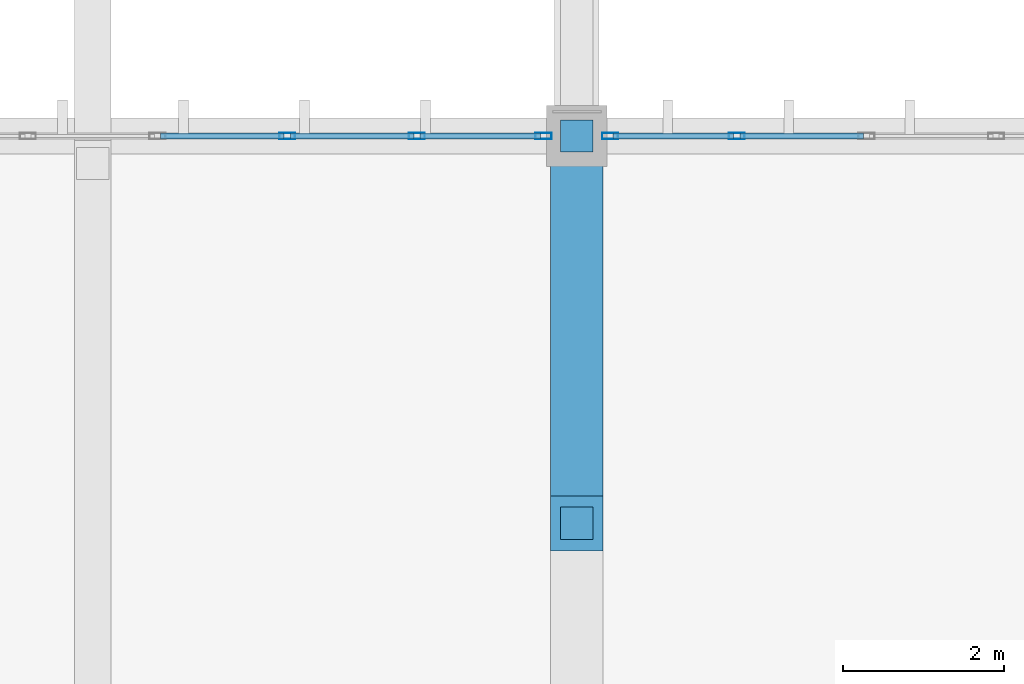
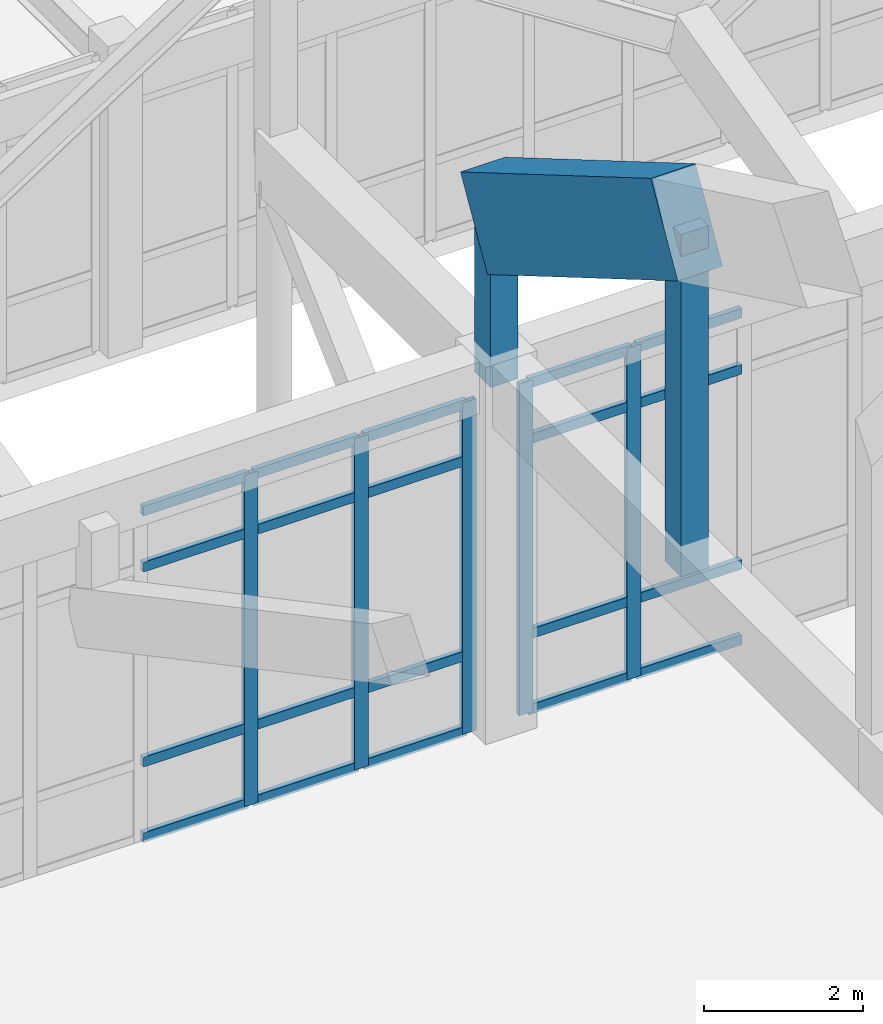
# One storey, part 85 of 236: 28 members, 2 elements without a shape of their own.
"""IFC4 building model written with IfcOpenShell, lengths in metres."""

from ifc_helpers import new_model, si_unit, direction, frame, origin, origin_2d, place, context, subcontext, project, spatial, rectangle, hollow_rectangle, extrude, material, layer, layer_set, material_profile, profile_set, type_object, element, aggregate, save


model = new_model("IFC4")

# Units and contexts
model_context = context("Model", 3, precision=1e-05, world=origin(), true_north=direction((0.0, 1.0)))
body_context = subcontext(model_context, "Body", "Model", "MODEL_VIEW")
ifc_project = project(units=[si_unit("LENGTHUNIT", "METRE"), si_unit("AREAUNIT", "SQUARE_METRE"), si_unit("VOLUMEUNIT", "CUBIC_METRE"), si_unit("PLANEANGLEUNIT", "RADIAN"), si_unit("MASSUNIT", "GRAM", prefix="KILO")], contexts=[model_context])

# Site, building, storey
site_placement = place(None, origin())
site = spatial("IfcSite", under=ifc_project, at=site_placement, CompositionType="ELEMENT")
building_placement = place(site_placement, origin())
building = spatial("IfcBuilding", under=site, at=building_placement, Name="Pandanus Reach Market Hall", CompositionType="ELEMENT")
storey_placement = place(building_placement, frame((0.0, 0.0, 5.39990234375)))
storey = spatial("IfcBuildingStorey", under=building, at=storey_placement, Name="L01", CompositionType="ELEMENT", Elevation=5.39990234375)

# Members
ifc_material_1 = material(Name="Concrete N50 (50 MPa)", Category="concrete")
ifc_material_profile_1 = material_profile(ifc_material_1, rectangle(XDim=0.64990234375, YDim=1.35009765625, at=origin_2d()), Name="RC650x1350", Category="LoadBearing")
ifc_profile_set_1 = profile_set([ifc_material_profile_1], Name="Concrete N50 (50 MPa)")
member_type_1 = type_object("IfcMemberType", Name="AR-RC650-E", PredefinedType="CHORD", material=ifc_profile_set_1)
member_1_placement = place(storey_placement, frame((108.0, 81.60009765625, 10.59130859375), z_axis=(0.0, 0.862886095496, -0.505398443013), x_axis=(-1.0, 0.0, 0.0)))
element("IfcMember", 1, at=member_1_placement, inside=storey, type_object=member_type_1, Name="Parabolic arch top chord A6.12", PredefinedType="CHORD", context=body_context, shape_type="SweptSolid", body=[
    extrude(rectangle(XDim=0.64990234375, YDim=1.35009765625, at=origin_2d()), origin(), (0.0, 0.0, 1.0), 5.5625),
])
ifc_material_profile_2 = material_profile(ifc_material_1, rectangle(XDim=0.39990234375, YDim=0.39990234375, at=origin_2d()), Name="RC400x400", Category="LoadBearing")
ifc_profile_set_2 = profile_set([ifc_material_profile_2], Name="Concrete N50 (50 MPa)")
member_type_2 = type_object("IfcMemberType", Name="AR-WEB400-E", PredefinedType="STRUT", material=ifc_profile_set_2)
member_2_placement = place(storey_placement, frame((108.0, 86.39990234375, 5.3251953125), z_axis=(0.0, 0.0, 1.0), x_axis=(1.0, 0.0, 0.0)))
element("IfcMember", 2, at=member_2_placement, inside=storey, type_object=member_type_2, Name="Arch springing concrete strut A6.N", PredefinedType="STRUT", context=body_context, shape_type="SweptSolid", body=[
    extrude(rectangle(XDim=0.39990234375, YDim=0.39990234375, at=origin_2d()), origin(), (0.0, 0.0, 1.0), 2.454833984375),
])
member_3_placement = place(storey_placement, frame((108.0, 81.60009765625, 5.3251953125), z_axis=(0.0, 0.0, 1.0), x_axis=(1.0, 0.0, 0.0)))
element("IfcMember", 3, at=member_3_placement, inside=storey, type_object=member_type_2, Name="Arch truss vertical web strut A6.11", PredefinedType="STRUT", context=body_context, shape_type="SweptSolid", body=[
    extrude(rectangle(XDim=0.39990234375, YDim=0.39990234375, at=origin_2d()), origin(), (0.0, 0.0, 1.0), 5.26611328125),
])

# Curtain wall, members
ifc_material_2 = material(Name="Bronze anodised aluminium and low-E glass", Category="aluminium")
ifc_layer = layer(ifc_material_2, 0.199951171875, Name="CW-02")
ifc_layer_set = layer_set([ifc_layer], Name="Bronze anodised aluminium and low-E glass")
curtain_wall_type = type_object("IfcCurtainWallType", Name="CW-02", PredefinedType="NOTDEFINED", material=ifc_layer_set)
curtain_wall_1_placement = place(storey_placement, origin())
curtain_wall_1 = element("IfcCurtainWall", 4, at=curtain_wall_1_placement, inside=storey, type_object=curtain_wall_type, Name="Glazed curtain wall CW-02 CW-0015", PredefinedType="NOTDEFINED")
ifc_material_3 = material(Name="Bronze anodised aluminium", Category="aluminium")
ifc_material_profile_3 = material_profile(ifc_material_3, hollow_rectangle(XDim=0.074951171875, YDim=0.199951171875, WallThickness=0.00439453125, at=origin_2d()), Name="ALU75x200", Category="LoadBearing")
ifc_profile_set_3 = profile_set([ifc_material_profile_3], Name="Bronze anodised aluminium")
member_type_3 = type_object("IfcMemberType", Name="CW-M2", PredefinedType="MULLION", material=ifc_profile_set_3)
member_4_placement = place(storey_placement, frame((104.41064453125, 86.39990234375, 0.0), z_axis=(0.0, 0.0, 1.0), x_axis=(0.0, 1.0, 0.0)))
member_4 = element("IfcMember", 5, at=member_4_placement, type_object=member_type_3, Name="CW-02 mullion 6", PredefinedType="MULLION", context=body_context, shape_type="SweptSolid", body=[
    extrude(hollow_rectangle(XDim=0.074951171875, YDim=0.199951171875, WallThickness=0.00439453125, at=origin_2d()), origin(), (0.0, 0.0, 1.0), 5.10009765625),
])
member_5_placement = place(storey_placement, frame((106.017822265625, 86.39990234375, 0.0), z_axis=(0.0, 0.0, 1.0), x_axis=(0.0, 1.0, 0.0)))
member_5 = element("IfcMember", 6, at=member_5_placement, type_object=member_type_3, Name="CW-02 mullion 7", PredefinedType="MULLION", context=body_context, shape_type="SweptSolid", body=[
    extrude(hollow_rectangle(XDim=0.074951171875, YDim=0.199951171875, WallThickness=0.00439453125, at=origin_2d()), origin(), (0.0, 0.0, 1.0), 5.10009765625),
])
member_6_placement = place(storey_placement, frame((107.58740234375, 86.39990234375, 0.0), z_axis=(0.0, 0.0, 1.0), x_axis=(0.0, 1.0, 0.0)))
member_6 = element("IfcMember", 7, at=member_6_placement, type_object=member_type_3, Name="CW-02 mullion 8", PredefinedType="MULLION", context=body_context, shape_type="SweptSolid", body=[
    extrude(hollow_rectangle(XDim=0.074951171875, YDim=0.199951171875, WallThickness=0.00439453125, at=origin_2d()), origin(), (0.0, 0.0, 1.0), 5.10009765625),
])

curtain_wall_2_placement = place(storey_placement, origin())
curtain_wall_2 = element("IfcCurtainWall", 8, at=curtain_wall_2_placement, inside=storey, type_object=curtain_wall_type, Name="Glazed curtain wall CW-02 CW-0016", PredefinedType="NOTDEFINED")
member_7_placement = place(storey_placement, frame((108.41259765625, 86.39990234375, 0.0), z_axis=(0.0, 0.0, 1.0), x_axis=(0.0, 1.0, 0.0)))
member_7 = element("IfcMember", 9, at=member_7_placement, type_object=member_type_3, Name="CW-02 mullion 1", PredefinedType="MULLION", context=body_context, shape_type="SweptSolid", body=[
    extrude(hollow_rectangle(XDim=0.074951171875, YDim=0.199951171875, WallThickness=0.00439453125, at=origin_2d()), origin(), (0.0, 0.0, 1.0), 5.10009765625),
])
member_8_placement = place(storey_placement, frame((109.982177734375, 86.39990234375, 0.0), z_axis=(0.0, 0.0, 1.0), x_axis=(0.0, 1.0, 0.0)))
member_8 = element("IfcMember", 10, at=member_8_placement, type_object=member_type_3, Name="CW-02 mullion 2", PredefinedType="MULLION", context=body_context, shape_type="SweptSolid", body=[
    extrude(hollow_rectangle(XDim=0.074951171875, YDim=0.199951171875, WallThickness=0.00439453125, at=origin_2d()), origin(), (0.0, 0.0, 1.0), 5.10009765625),
])

# Member
ifc_material_profile_4 = material_profile(ifc_material_3, hollow_rectangle(XDim=0.074951171875, YDim=0.14990234375, WallThickness=0.00439453125, at=origin_2d()), Name="ALU75x150", Category="LoadBearing")
ifc_profile_set_4 = profile_set([ifc_material_profile_4], Name="Bronze anodised aluminium")
member_type_4 = type_object("IfcMemberType", Name="CW-T2", PredefinedType="USERDEFINED", material=ifc_profile_set_4)
member_9_placement = place(storey_placement, frame((102.841064453125, 86.39990234375, 0.03759765625), z_axis=(1.0, 0.0, 0.0), x_axis=(0.0, 1.0, 0.0)))
member_9 = element("IfcMember", 11, at=member_9_placement, type_object=member_type_4, Name="CW-02 transom 5.1", ObjectType="TRANSOM", PredefinedType="USERDEFINED", context=body_context, shape_type="SweptSolid", body=[
    extrude(hollow_rectangle(XDim=0.074951171875, YDim=0.14990234375, WallThickness=0.00439453125, at=origin_2d()), origin(), (0.0, 0.0, 1.0), 1.5322265625),
])

member_10_placement = place(storey_placement, frame((102.841064453125, 86.39990234375, 1.2001953125), z_axis=(1.0, 0.0, 0.0), x_axis=(0.0, 1.0, 0.0)))
member_10 = element("IfcMember", 12, at=member_10_placement, type_object=member_type_4, Name="CW-02 transom 5.2", ObjectType="TRANSOM", PredefinedType="USERDEFINED", context=body_context, shape_type="SweptSolid", body=[
    extrude(hollow_rectangle(XDim=0.074951171875, YDim=0.14990234375, WallThickness=0.00439453125, at=origin_2d()), origin(), (0.0, 0.0, 1.0), 1.5322265625),
])

member_11_placement = place(storey_placement, frame((102.841064453125, 86.39990234375, 4.2001953125), z_axis=(1.0, 0.0, 0.0), x_axis=(0.0, 1.0, 0.0)))
member_11 = element("IfcMember", 13, at=member_11_placement, type_object=member_type_4, Name="CW-02 transom 5.3", ObjectType="TRANSOM", PredefinedType="USERDEFINED", context=body_context, shape_type="SweptSolid", body=[
    extrude(hollow_rectangle(XDim=0.074951171875, YDim=0.14990234375, WallThickness=0.00439453125, at=origin_2d()), origin(), (0.0, 0.0, 1.0), 1.5322265625),
])

member_12_placement = place(storey_placement, frame((102.841064453125, 86.39990234375, 5.0625), z_axis=(1.0, 0.0, 0.0), x_axis=(0.0, 1.0, 0.0)))
member_12 = element("IfcMember", 14, at=member_12_placement, type_object=member_type_4, Name="CW-02 transom 5.4", ObjectType="TRANSOM", PredefinedType="USERDEFINED", context=body_context, shape_type="SweptSolid", body=[
    extrude(hollow_rectangle(XDim=0.074951171875, YDim=0.14990234375, WallThickness=0.00439453125, at=origin_2d()), origin(), (0.0, 0.0, 1.0), 1.5322265625),
])

member_13_placement = place(storey_placement, frame((104.4482421875, 86.39990234375, 0.03759765625), z_axis=(1.0, 0.0, 0.0), x_axis=(0.0, 1.0, 0.0)))
member_13 = element("IfcMember", 15, at=member_13_placement, type_object=member_type_4, Name="CW-02 transom 6.1", ObjectType="TRANSOM", PredefinedType="USERDEFINED", context=body_context, shape_type="SweptSolid", body=[
    extrude(hollow_rectangle(XDim=0.074951171875, YDim=0.14990234375, WallThickness=0.00439453125, at=origin_2d()), origin(), (0.0, 0.0, 1.0), 1.5322265625),
])

member_14_placement = place(storey_placement, frame((104.4482421875, 86.39990234375, 1.2001953125), z_axis=(1.0, 0.0, 0.0), x_axis=(0.0, 1.0, 0.0)))
member_14 = element("IfcMember", 16, at=member_14_placement, type_object=member_type_4, Name="CW-02 transom 6.2", ObjectType="TRANSOM", PredefinedType="USERDEFINED", context=body_context, shape_type="SweptSolid", body=[
    extrude(hollow_rectangle(XDim=0.074951171875, YDim=0.14990234375, WallThickness=0.00439453125, at=origin_2d()), origin(), (0.0, 0.0, 1.0), 1.5322265625),
])

member_15_placement = place(storey_placement, frame((104.4482421875, 86.39990234375, 4.2001953125), z_axis=(1.0, 0.0, 0.0), x_axis=(0.0, 1.0, 0.0)))
member_15 = element("IfcMember", 17, at=member_15_placement, type_object=member_type_4, Name="CW-02 transom 6.3", ObjectType="TRANSOM", PredefinedType="USERDEFINED", context=body_context, shape_type="SweptSolid", body=[
    extrude(hollow_rectangle(XDim=0.074951171875, YDim=0.14990234375, WallThickness=0.00439453125, at=origin_2d()), origin(), (0.0, 0.0, 1.0), 1.5322265625),
])

member_16_placement = place(storey_placement, frame((104.4482421875, 86.39990234375, 5.0625), z_axis=(1.0, 0.0, 0.0), x_axis=(0.0, 1.0, 0.0)))
member_16 = element("IfcMember", 18, at=member_16_placement, type_object=member_type_4, Name="CW-02 transom 6.4", ObjectType="TRANSOM", PredefinedType="USERDEFINED", context=body_context, shape_type="SweptSolid", body=[
    extrude(hollow_rectangle(XDim=0.074951171875, YDim=0.14990234375, WallThickness=0.00439453125, at=origin_2d()), origin(), (0.0, 0.0, 1.0), 1.5322265625),
])

member_17_placement = place(storey_placement, frame((106.055419921875, 86.39990234375, 0.03759765625), z_axis=(1.0, 0.0, 0.0), x_axis=(0.0, 1.0, 0.0)))
member_17 = element("IfcMember", 19, at=member_17_placement, type_object=member_type_4, Name="CW-02 transom 7.1", ObjectType="TRANSOM", PredefinedType="USERDEFINED", context=body_context, shape_type="SweptSolid", body=[
    extrude(hollow_rectangle(XDim=0.074951171875, YDim=0.14990234375, WallThickness=0.00439453125, at=origin_2d()), origin(), (0.0, 0.0, 1.0), 1.49462890625),
])

member_18_placement = place(storey_placement, frame((106.055419921875, 86.39990234375, 1.2001953125), z_axis=(1.0, 0.0, 0.0), x_axis=(0.0, 1.0, 0.0)))
member_18 = element("IfcMember", 20, at=member_18_placement, type_object=member_type_4, Name="CW-02 transom 7.2", ObjectType="TRANSOM", PredefinedType="USERDEFINED", context=body_context, shape_type="SweptSolid", body=[
    extrude(hollow_rectangle(XDim=0.074951171875, YDim=0.14990234375, WallThickness=0.00439453125, at=origin_2d()), origin(), (0.0, 0.0, 1.0), 1.49462890625),
])

member_19_placement = place(storey_placement, frame((106.055419921875, 86.39990234375, 4.2001953125), z_axis=(1.0, 0.0, 0.0), x_axis=(0.0, 1.0, 0.0)))
member_19 = element("IfcMember", 21, at=member_19_placement, type_object=member_type_4, Name="CW-02 transom 7.3", ObjectType="TRANSOM", PredefinedType="USERDEFINED", context=body_context, shape_type="SweptSolid", body=[
    extrude(hollow_rectangle(XDim=0.074951171875, YDim=0.14990234375, WallThickness=0.00439453125, at=origin_2d()), origin(), (0.0, 0.0, 1.0), 1.49462890625),
])

member_20_placement = place(storey_placement, frame((106.055419921875, 86.39990234375, 5.0625), z_axis=(1.0, 0.0, 0.0), x_axis=(0.0, 1.0, 0.0)))
member_20 = element("IfcMember", 22, at=member_20_placement, type_object=member_type_4, Name="CW-02 transom 7.4", ObjectType="TRANSOM", PredefinedType="USERDEFINED", context=body_context, shape_type="SweptSolid", body=[
    extrude(hollow_rectangle(XDim=0.074951171875, YDim=0.14990234375, WallThickness=0.00439453125, at=origin_2d()), origin(), (0.0, 0.0, 1.0), 1.49462890625),
])

aggregate(curtain_wall_1, [member_4, member_5, member_6, member_9, member_10, member_11, member_12, member_13, member_14, member_15, member_16, member_17, member_18, member_19, member_20])

member_21_placement = place(storey_placement, frame((108.449951171875, 86.39990234375, 0.03759765625), z_axis=(1.0, 0.0, 0.0), x_axis=(0.0, 1.0, 0.0)))
member_21 = element("IfcMember", 23, at=member_21_placement, type_object=member_type_4, Name="CW-02 transom 1.1", ObjectType="TRANSOM", PredefinedType="USERDEFINED", context=body_context, shape_type="SweptSolid", body=[
    extrude(hollow_rectangle(XDim=0.074951171875, YDim=0.14990234375, WallThickness=0.00439453125, at=origin_2d()), origin(), (0.0, 0.0, 1.0), 1.49462890625),
])

member_22_placement = place(storey_placement, frame((108.449951171875, 86.39990234375, 1.2001953125), z_axis=(1.0, 0.0, 0.0), x_axis=(0.0, 1.0, 0.0)))
member_22 = element("IfcMember", 24, at=member_22_placement, type_object=member_type_4, Name="CW-02 transom 1.2", ObjectType="TRANSOM", PredefinedType="USERDEFINED", context=body_context, shape_type="SweptSolid", body=[
    extrude(hollow_rectangle(XDim=0.074951171875, YDim=0.14990234375, WallThickness=0.00439453125, at=origin_2d()), origin(), (0.0, 0.0, 1.0), 1.49462890625),
])

member_23_placement = place(storey_placement, frame((108.449951171875, 86.39990234375, 4.2001953125), z_axis=(1.0, 0.0, 0.0), x_axis=(0.0, 1.0, 0.0)))
member_23 = element("IfcMember", 25, at=member_23_placement, type_object=member_type_4, Name="CW-02 transom 1.3", ObjectType="TRANSOM", PredefinedType="USERDEFINED", context=body_context, shape_type="SweptSolid", body=[
    extrude(hollow_rectangle(XDim=0.074951171875, YDim=0.14990234375, WallThickness=0.00439453125, at=origin_2d()), origin(), (0.0, 0.0, 1.0), 1.49462890625),
])

member_24_placement = place(storey_placement, frame((108.449951171875, 86.39990234375, 5.0625), z_axis=(1.0, 0.0, 0.0), x_axis=(0.0, 1.0, 0.0)))
member_24 = element("IfcMember", 26, at=member_24_placement, type_object=member_type_4, Name="CW-02 transom 1.4", ObjectType="TRANSOM", PredefinedType="USERDEFINED", context=body_context, shape_type="SweptSolid", body=[
    extrude(hollow_rectangle(XDim=0.074951171875, YDim=0.14990234375, WallThickness=0.00439453125, at=origin_2d()), origin(), (0.0, 0.0, 1.0), 1.49462890625),
])

member_25_placement = place(storey_placement, frame((110.01953125, 86.39990234375, 0.03759765625), z_axis=(1.0, 0.0, 0.0), x_axis=(0.0, 1.0, 0.0)))
member_25 = element("IfcMember", 27, at=member_25_placement, type_object=member_type_4, Name="CW-02 transom 2.1", ObjectType="TRANSOM", PredefinedType="USERDEFINED", context=body_context, shape_type="SweptSolid", body=[
    extrude(hollow_rectangle(XDim=0.074951171875, YDim=0.14990234375, WallThickness=0.00439453125, at=origin_2d()), origin(), (0.0, 0.0, 1.0), 1.5322265625),
])

member_26_placement = place(storey_placement, frame((110.01953125, 86.39990234375, 1.2001953125), z_axis=(1.0, 0.0, 0.0), x_axis=(0.0, 1.0, 0.0)))
member_26 = element("IfcMember", 28, at=member_26_placement, type_object=member_type_4, Name="CW-02 transom 2.2", ObjectType="TRANSOM", PredefinedType="USERDEFINED", context=body_context, shape_type="SweptSolid", body=[
    extrude(hollow_rectangle(XDim=0.074951171875, YDim=0.14990234375, WallThickness=0.00439453125, at=origin_2d()), origin(), (0.0, 0.0, 1.0), 1.5322265625),
])

member_27_placement = place(storey_placement, frame((110.01953125, 86.39990234375, 4.2001953125), z_axis=(1.0, 0.0, 0.0), x_axis=(0.0, 1.0, 0.0)))
member_27 = element("IfcMember", 29, at=member_27_placement, type_object=member_type_4, Name="CW-02 transom 2.3", ObjectType="TRANSOM", PredefinedType="USERDEFINED", context=body_context, shape_type="SweptSolid", body=[
    extrude(hollow_rectangle(XDim=0.074951171875, YDim=0.14990234375, WallThickness=0.00439453125, at=origin_2d()), origin(), (0.0, 0.0, 1.0), 1.5322265625),
])

member_28_placement = place(storey_placement, frame((110.01953125, 86.39990234375, 5.0625), z_axis=(1.0, 0.0, 0.0), x_axis=(0.0, 1.0, 0.0)))
member_28 = element("IfcMember", 30, at=member_28_placement, type_object=member_type_4, Name="CW-02 transom 2.4", ObjectType="TRANSOM", PredefinedType="USERDEFINED", context=body_context, shape_type="SweptSolid", body=[
    extrude(hollow_rectangle(XDim=0.074951171875, YDim=0.14990234375, WallThickness=0.00439453125, at=origin_2d()), origin(), (0.0, 0.0, 1.0), 1.5322265625),
])

aggregate(curtain_wall_2, [member_7, member_8, member_21, member_22, member_23, member_24, member_25, member_26, member_27, member_28])

save(model, "model.ifc")
